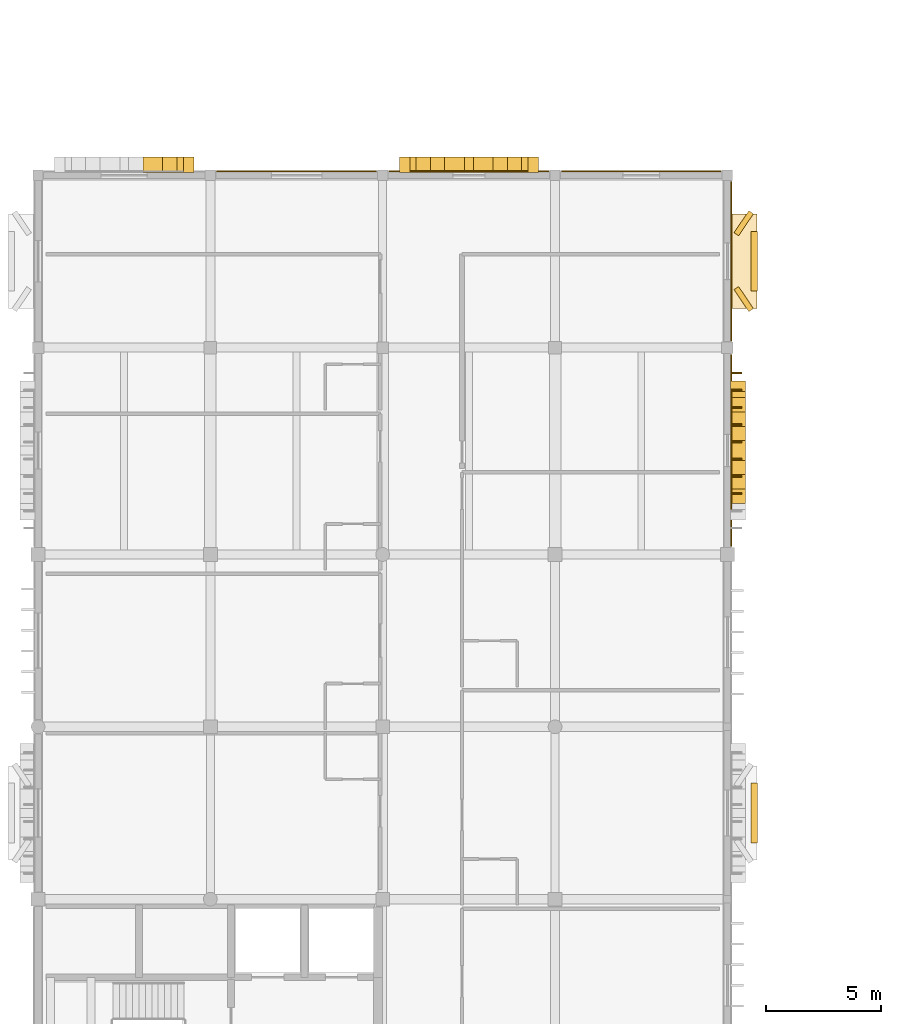
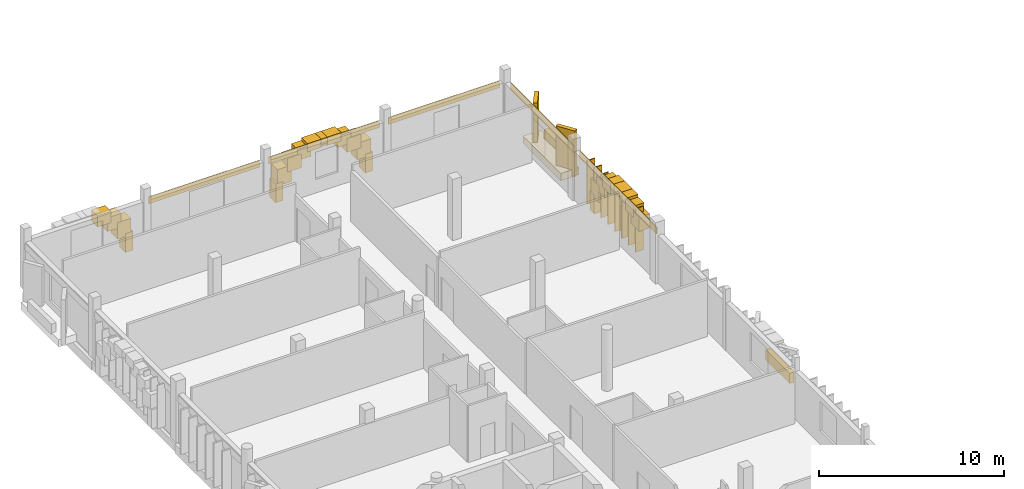
# One storey, part 30 of 33: 34 coverings, 8 shading devices.
"""IFC4 building model written with IfcOpenShell, lengths in metres."""

from ifc_helpers import new_model, si_unit, direction, frame, origin, origin_2d, place, context, subcontext, project, spatial, rectangle, extrude, material, layer, layer_set, type_object, element, save


model = new_model("IFC4")

# Units and contexts
model_context = context("Model", 3, precision=1e-05, world=origin(), true_north=direction((0.0, 1.0)))
body_context = subcontext(model_context, "Body", "Model", "MODEL_VIEW")
ifc_project = project(units=[si_unit("LENGTHUNIT", "METRE"), si_unit("AREAUNIT", "SQUARE_METRE"), si_unit("VOLUMEUNIT", "CUBIC_METRE"), si_unit("PLANEANGLEUNIT", "RADIAN"), si_unit("MASSUNIT", "GRAM", prefix="KILO")], contexts=[model_context])

# Site, building, storey
site_placement = place(None, origin())
site = spatial("IfcSite", under=ifc_project, at=site_placement, CompositionType="ELEMENT")
building_placement = place(site_placement, origin())
building = spatial("IfcBuilding", under=site, at=building_placement, Name="Dalvernix Boulevard General Hospital", CompositionType="ELEMENT")
storey_placement = place(building_placement, frame((0.0, 0.0, 21.89990234375)))
storey = spatial("IfcBuildingStorey", under=building, at=storey_placement, Name="L05", CompositionType="ELEMENT", Elevation=21.89990234375)

# Coverings
ifc_material_1 = material(Name="Pressed Catalan clay brick and dressed limestone parabolic archivolt", Category="masonry")
ifc_layer_1 = layer(ifc_material_1, 0.419921875)
ifc_layer_set_1 = layer_set([ifc_layer_1], Name="Pressed Catalan clay brick and dressed limestone parabolic archivolt (COV-ARC-01)")
covering_type_1 = type_object("IfcCoveringType", Name="COV-ARC-01", PredefinedType="CLADDING", material=ifc_layer_set_1)
covering_1_placement = place(storey_placement, frame((6.550048828125, 93.4599609375, 0.0), z_axis=(0.0, 0.0, 1.0), x_axis=(1.0, 0.0, 0.0)))
element("IfcCovering", 1, at=covering_1_placement, inside=storey, type_object=covering_type_1, Name="L05 Catalan parabolic arch impost pier N 0-12-R", PredefinedType="CLADDING", context=body_context, shape_type="SweptSolid", body=[
    extrude(rectangle(XDim=0.4599609375, YDim=0.659912109375, at=origin_2d()), origin(), (0.0, 0.0, 1.0), 1.25),
])
covering_2_placement = place(storey_placement, frame((4.994384765625, 93.4599609375, 2.3046875), z_axis=(0.0, 0.0, 1.0), x_axis=(1.0, 0.0, 0.0)))
element("IfcCovering", 2, at=covering_2_placement, inside=storey, type_object=covering_type_1, Name="L05 Catalan parabolic archivolt voussoir N 0-12-7", PredefinedType="CLADDING", context=body_context, shape_type="SweptSolid", body=[
    extrude(rectangle(XDim=0.8623046875, YDim=0.659912109375, at=origin_2d()), origin(), (0.0, 0.0, 1.0), 0.735595703125),
])
covering_3_placement = place(storey_placement, frame((5.61669921875, 93.4599609375, 1.77099609375), z_axis=(0.0, 0.0, 1.0), x_axis=(1.0, 0.0, 0.0)))
element("IfcCovering", 3, at=covering_3_placement, inside=storey, type_object=covering_type_1, Name="L05 Catalan parabolic archivolt voussoir N 0-12-8", PredefinedType="CLADDING", context=body_context, shape_type="SweptSolid", body=[
    extrude(rectangle(XDim=0.8623046875, YDim=0.659912109375, at=origin_2d()), origin(), (0.0, 0.0, 1.0), 0.913330078125),
])
covering_4_placement = place(storey_placement, frame((6.239013671875, 93.4599609375, 1.06005859375), z_axis=(0.0, 0.0, 1.0), x_axis=(1.0, 0.0, 0.0)))
element("IfcCovering", 4, at=covering_4_placement, inside=storey, type_object=covering_type_1, Name="L05 Catalan parabolic archivolt voussoir N 0-12-9", PredefinedType="CLADDING", context=body_context, shape_type="SweptSolid", body=[
    extrude(rectangle(XDim=0.8623046875, YDim=0.659912109375, at=origin_2d()), origin(), (0.0, 0.0, 1.0), 1.091064453125),
])
for number, where, z_axis, x_axis, name in (
    (5, (15.949951171875, 93.4599609375, 0.0), (0.0, 0.0, 1.0), (1.0, 0.0, 0.0), "L05 Catalan parabolic arch impost pier N 2-12-L"),
    (6, (21.550048828125, 93.4599609375, 0.0), (0.0, 0.0, 1.0), (1.0, 0.0, 0.0), "L05 Catalan parabolic arch impost pier N 2-12-R"),
):
    element("IfcCovering", number, at=place(storey_placement, frame(where, z_axis=z_axis, x_axis=x_axis)), inside=storey, type_object=covering_type_1, Name=name, PredefinedType="CLADDING", context=body_context, shape_type="SweptSolid", body=[
        extrude(rectangle(XDim=0.4599609375, YDim=0.659912109375, at=origin_2d()), origin(), (0.0, 0.0, 1.0), 1.25),
    ])
covering_5_placement = place(storey_placement, frame((16.260986328125, 93.4599609375, 1.06005859375), z_axis=(0.0, 0.0, 1.0), x_axis=(1.0, 0.0, 0.0)))
element("IfcCovering", 7, at=covering_5_placement, inside=storey, type_object=covering_type_1, Name="L05 Catalan parabolic archivolt voussoir N 2-12-1", PredefinedType="CLADDING", context=body_context, shape_type="SweptSolid", body=[
    extrude(rectangle(XDim=0.8623046875, YDim=0.659912109375, at=origin_2d()), origin(), (0.0, 0.0, 1.0), 1.091064453125),
])
covering_6_placement = place(storey_placement, frame((16.88330078125, 93.4599609375, 1.77099609375), z_axis=(0.0, 0.0, 1.0), x_axis=(1.0, 0.0, 0.0)))
element("IfcCovering", 8, at=covering_6_placement, inside=storey, type_object=covering_type_1, Name="L05 Catalan parabolic archivolt voussoir N 2-12-2", PredefinedType="CLADDING", context=body_context, shape_type="SweptSolid", body=[
    extrude(rectangle(XDim=0.8623046875, YDim=0.659912109375, at=origin_2d()), origin(), (0.0, 0.0, 1.0), 0.913330078125),
])
covering_7_placement = place(storey_placement, frame((17.505615234375, 93.4599609375, 2.3046875), z_axis=(0.0, 0.0, 1.0), x_axis=(1.0, 0.0, 0.0)))
element("IfcCovering", 9, at=covering_7_placement, inside=storey, type_object=covering_type_1, Name="L05 Catalan parabolic archivolt voussoir N 2-12-3", PredefinedType="CLADDING", context=body_context, shape_type="SweptSolid", body=[
    extrude(rectangle(XDim=0.8623046875, YDim=0.659912109375, at=origin_2d()), origin(), (0.0, 0.0, 1.0), 0.735595703125),
])
covering_8_placement = place(storey_placement, frame((18.127685546875, 93.4599609375, 2.66015625), z_axis=(0.0, 0.0, 1.0), x_axis=(1.0, 0.0, 0.0)))
element("IfcCovering", 10, at=covering_8_placement, inside=storey, type_object=covering_type_1, Name="L05 Catalan parabolic archivolt voussoir N 2-12-4", PredefinedType="CLADDING", context=body_context, shape_type="SweptSolid", body=[
    extrude(rectangle(XDim=0.8623046875, YDim=0.659912109375, at=origin_2d()), origin(), (0.0, 0.0, 1.0), 0.557861328125),
])
covering_9_placement = place(storey_placement, frame((18.75, 93.4599609375, 2.837890625), z_axis=(0.0, 0.0, 1.0), x_axis=(1.0, 0.0, 0.0)))
element("IfcCovering", 11, at=covering_9_placement, inside=storey, type_object=covering_type_1, Name="L05 Catalan parabolic archivolt voussoir N 2-12-5", PredefinedType="CLADDING", context=body_context, shape_type="SweptSolid", body=[
    extrude(rectangle(XDim=0.8623046875, YDim=0.659912109375, at=origin_2d()), origin(), (0.0, 0.0, 1.0), 0.3798828125),
])
covering_10_placement = place(storey_placement, frame((19.372314453125, 93.4599609375, 2.66015625), z_axis=(0.0, 0.0, 1.0), x_axis=(1.0, 0.0, 0.0)))
element("IfcCovering", 12, at=covering_10_placement, inside=storey, type_object=covering_type_1, Name="L05 Catalan parabolic archivolt voussoir N 2-12-6", PredefinedType="CLADDING", context=body_context, shape_type="SweptSolid", body=[
    extrude(rectangle(XDim=0.8623046875, YDim=0.659912109375, at=origin_2d()), origin(), (0.0, 0.0, 1.0), 0.557861328125),
])
covering_11_placement = place(storey_placement, frame((19.994384765625, 93.4599609375, 2.3046875), z_axis=(0.0, 0.0, 1.0), x_axis=(1.0, 0.0, 0.0)))
element("IfcCovering", 13, at=covering_11_placement, inside=storey, type_object=covering_type_1, Name="L05 Catalan parabolic archivolt voussoir N 2-12-7", PredefinedType="CLADDING", context=body_context, shape_type="SweptSolid", body=[
    extrude(rectangle(XDim=0.8623046875, YDim=0.659912109375, at=origin_2d()), origin(), (0.0, 0.0, 1.0), 0.735595703125),
])
covering_12_placement = place(storey_placement, frame((20.61669921875, 93.4599609375, 1.77099609375), z_axis=(0.0, 0.0, 1.0), x_axis=(1.0, 0.0, 0.0)))
element("IfcCovering", 14, at=covering_12_placement, inside=storey, type_object=covering_type_1, Name="L05 Catalan parabolic archivolt voussoir N 2-12-8", PredefinedType="CLADDING", context=body_context, shape_type="SweptSolid", body=[
    extrude(rectangle(XDim=0.8623046875, YDim=0.659912109375, at=origin_2d()), origin(), (0.0, 0.0, 1.0), 0.913330078125),
])
covering_13_placement = place(storey_placement, frame((21.239013671875, 93.4599609375, 1.06005859375), z_axis=(0.0, 0.0, 1.0), x_axis=(1.0, 0.0, 0.0)))
element("IfcCovering", 15, at=covering_13_placement, inside=storey, type_object=covering_type_1, Name="L05 Catalan parabolic archivolt voussoir N 2-12-9", PredefinedType="CLADDING", context=body_context, shape_type="SweptSolid", body=[
    extrude(rectangle(XDim=0.8623046875, YDim=0.659912109375, at=origin_2d()), origin(), (0.0, 0.0, 1.0), 1.091064453125),
])
covering_14_placement = place(storey_placement, frame((30.4599609375, 83.824951171875, 0.0), z_axis=(0.0, 0.0, 1.0), x_axis=(0.0, -1.0, 0.0)))
element("IfcCovering", 16, at=covering_14_placement, inside=storey, type_object=covering_type_1, Name="L05 Catalan parabolic arch impost pier E 4-10-L", PredefinedType="CLADDING", context=body_context, shape_type="SweptSolid", body=[
    extrude(rectangle(XDim=0.4599609375, YDim=0.659912109375, at=origin_2d()), origin(), (0.0, 0.0, 1.0), 1.25),
])
covering_15_placement = place(storey_placement, frame((30.4599609375, 83.513916015625, 1.06005859375), z_axis=(0.0, 0.0, 1.0), x_axis=(0.0, -1.0, 0.0)))
element("IfcCovering", 17, at=covering_15_placement, inside=storey, type_object=covering_type_1, Name="L05 Catalan parabolic archivolt voussoir E 4-10-1", PredefinedType="CLADDING", context=body_context, shape_type="SweptSolid", body=[
    extrude(rectangle(XDim=0.8623046875, YDim=0.659912109375, at=origin_2d()), origin(), (0.0, 0.0, 1.0), 1.11083984375),
])
covering_16_placement = place(storey_placement, frame((30.4599609375, 82.8916015625, 1.791015625), z_axis=(0.0, 0.0, 1.0), x_axis=(0.0, -1.0, 0.0)))
element("IfcCovering", 18, at=covering_16_placement, inside=storey, type_object=covering_type_1, Name="L05 Catalan parabolic archivolt voussoir E 4-10-2", PredefinedType="CLADDING", context=body_context, shape_type="SweptSolid", body=[
    extrude(rectangle(XDim=0.8623046875, YDim=0.659912109375, at=origin_2d()), origin(), (0.0, 0.0, 1.0), 0.927978515625),
])
covering_17_placement = place(storey_placement, frame((30.4599609375, 82.269287109375, 2.33935546875), z_axis=(0.0, 0.0, 1.0), x_axis=(0.0, -1.0, 0.0)))
element("IfcCovering", 19, at=covering_17_placement, inside=storey, type_object=covering_type_1, Name="L05 Catalan parabolic archivolt voussoir E 4-10-3", PredefinedType="CLADDING", context=body_context, shape_type="SweptSolid", body=[
    extrude(rectangle(XDim=0.8623046875, YDim=0.659912109375, at=origin_2d()), origin(), (0.0, 0.0, 1.0), 0.745361328125),
])
covering_18_placement = place(storey_placement, frame((30.4599609375, 81.647216796875, 2.70458984375), z_axis=(0.0, 0.0, 1.0), x_axis=(0.0, -1.0, 0.0)))
element("IfcCovering", 20, at=covering_18_placement, inside=storey, type_object=covering_type_1, Name="L05 Catalan parabolic archivolt voussoir E 4-10-4", PredefinedType="CLADDING", context=body_context, shape_type="SweptSolid", body=[
    extrude(rectangle(XDim=0.8623046875, YDim=0.659912109375, at=origin_2d()), origin(), (0.0, 0.0, 1.0), 0.562744140625),
])
covering_19_placement = place(storey_placement, frame((30.4599609375, 81.02490234375, 2.887451171875), z_axis=(0.0, 0.0, 1.0), x_axis=(0.0, -1.0, 0.0)))
element("IfcCovering", 21, at=covering_19_placement, inside=storey, type_object=covering_type_1, Name="L05 Catalan parabolic archivolt voussoir E 4-10-5", PredefinedType="CLADDING", context=body_context, shape_type="SweptSolid", body=[
    extrude(rectangle(XDim=0.8623046875, YDim=0.659912109375, at=origin_2d()), origin(), (0.0, 0.0, 1.0), 0.3798828125),
])
covering_20_placement = place(storey_placement, frame((30.4599609375, 80.40283203125, 2.70458984375), z_axis=(0.0, 0.0, 1.0), x_axis=(0.0, -1.0, 0.0)))
element("IfcCovering", 22, at=covering_20_placement, inside=storey, type_object=covering_type_1, Name="L05 Catalan parabolic archivolt voussoir E 4-10-6", PredefinedType="CLADDING", context=body_context, shape_type="SweptSolid", body=[
    extrude(rectangle(XDim=0.8623046875, YDim=0.659912109375, at=origin_2d()), origin(), (0.0, 0.0, 1.0), 0.562744140625),
])
covering_21_placement = place(storey_placement, frame((30.4599609375, 79.780517578125, 2.33935546875), z_axis=(0.0, 0.0, 1.0), x_axis=(0.0, -1.0, 0.0)))
element("IfcCovering", 23, at=covering_21_placement, inside=storey, type_object=covering_type_1, Name="L05 Catalan parabolic archivolt voussoir E 4-10-7", PredefinedType="CLADDING", context=body_context, shape_type="SweptSolid", body=[
    extrude(rectangle(XDim=0.8623046875, YDim=0.659912109375, at=origin_2d()), origin(), (0.0, 0.0, 1.0), 0.745361328125),
])
covering_22_placement = place(storey_placement, frame((30.4599609375, 79.158203125, 1.791015625), z_axis=(0.0, 0.0, 1.0), x_axis=(0.0, -1.0, 0.0)))
element("IfcCovering", 24, at=covering_22_placement, inside=storey, type_object=covering_type_1, Name="L05 Catalan parabolic archivolt voussoir E 4-10-8", PredefinedType="CLADDING", context=body_context, shape_type="SweptSolid", body=[
    extrude(rectangle(XDim=0.8623046875, YDim=0.659912109375, at=origin_2d()), origin(), (0.0, 0.0, 1.0), 0.927978515625),
])
ifc_material_2 = material(Name="Polychrome glazed Catalan trencadis ceramic faceted bay spandrel")
ifc_layer_2 = layer(ifc_material_2, 0.280029296875)
ifc_layer_set_2 = layer_set([ifc_layer_2], Name="Polychrome glazed Catalan trencadis ceramic faceted bay spandrel (COV-BAY-01)")
covering_type_2 = type_object("IfcCoveringType", Name="COV-BAY-01", PredefinedType="CLADDING", material=ifc_layer_set_2)
for number, where, z_axis, x_axis, name in (
    (25, (31.159912109375, 65.25, 0.38037109375), (0.0, 0.0, 1.0), (0.0, -1.0, 0.0), "L05 projecting faceted trencadis bay spandrel E 4-8"),
    (26, (31.159912109375, 89.262451171875, 0.38037109375), (0.0, 0.0, 1.0), (0.0, -1.0, 0.0), "L05 projecting faceted trencadis bay spandrel E 4-11"),
):
    element("IfcCovering", number, at=place(storey_placement, frame(where, z_axis=z_axis, x_axis=x_axis)), inside=storey, type_object=covering_type_2, Name=name, PredefinedType="CLADDING", context=body_context, shape_type="SweptSolid", body=[
        extrude(rectangle(XDim=2.60009765625, YDim=0.280029296875, at=origin_2d()), origin(), (0.0, 0.0, 1.0), 0.679931640625),
    ])
for number, where, z_axis, x_axis, name in (
    (27, (30.7099609375, 90.91259765625, 0.080078125), (0.0, 0.0, 1.0), (-0.559192903471, -0.829037572555, 0.0), "L05 projecting faceted Catalan bay cheek E 4-11-L"),
    (28, (30.7099609375, 87.612548828125, 0.080078125), (0.0, 0.0, 1.0), (0.559192903471, -0.829037572555, 0.0), "L05 projecting faceted Catalan bay cheek E 4-11-R"),
):
    element("IfcCovering", number, at=place(storey_placement, frame(where, z_axis=z_axis, x_axis=x_axis)), inside=storey, type_object=covering_type_2, Name=name, PredefinedType="CLADDING", context=body_context, shape_type="SweptSolid", body=[
        extrude(rectangle(XDim=1.14990234375, YDim=0.239990234375, at=origin_2d()), origin(), (0.0, 0.0, 1.0), 3.010009765625),
    ])
ifc_material_3 = material(Name="Polychrome Catalan glazed ceramic spandrel tile panel")
ifc_layer_3 = layer(ifc_material_3, 0.044921875)
ifc_layer_set_3 = layer_set([ifc_layer_3], Name="Polychrome Catalan glazed ceramic spandrel tile panel (COV-CLD-01)")
covering_type_3 = type_object("IfcCoveringType", Name="COV-CLD-01", PredefinedType="CLADDING", material=ifc_layer_set_3)
for number, where, z_axis, x_axis, name in (
    (29, (11.25, 93.169921875, 2.6953125), (0.0, 0.0, 1.0), (1.0, 0.0, 0.0), "L05 polychrome ceramic spandrel N 1-12"),
    (30, (18.75, 93.169921875, 2.6953125), (0.0, 0.0, 1.0), (1.0, 0.0, 0.0), "L05 polychrome ceramic spandrel N 2-12"),
):
    element("IfcCovering", number, at=place(storey_placement, frame(where, z_axis=z_axis, x_axis=x_axis)), inside=storey, type_object=covering_type_3, Name=name, PredefinedType="CLADDING", context=body_context, shape_type="SweptSolid", body=[
        extrude(rectangle(XDim=6.929931640625, YDim=0.044921875, at=origin_2d()), origin(), (0.0, 0.0, 1.0), 0.449951171875),
    ])
covering_23_placement = place(storey_placement, frame((30.169921875, 81.02490234375, 2.7451171875), z_axis=(0.0, 0.0, 1.0), x_axis=(0.0, -1.0, 0.0)))
element("IfcCovering", 31, at=covering_23_placement, inside=storey, type_object=covering_type_3, Name="L05 polychrome ceramic spandrel E 4-10", PredefinedType="CLADDING", context=body_context, shape_type="SweptSolid", body=[
    extrude(rectangle(XDim=8.330078125, YDim=0.044921875, at=origin_2d()), origin(), (0.0, 0.0, 1.0), 0.449951171875),
])
covering_24_placement = place(storey_placement, frame((26.25, 93.169921875, 2.6953125), z_axis=(0.0, 0.0, 1.0), x_axis=(1.0, 0.0, 0.0)))
element("IfcCovering", 32, at=covering_24_placement, inside=storey, type_object=covering_type_3, Name="L05 polychrome ceramic spandrel N 3-12", PredefinedType="CLADDING", context=body_context, shape_type="SweptSolid", body=[
    extrude(rectangle(XDim=6.929931640625, YDim=0.044921875, at=origin_2d()), origin(), (0.0, 0.0, 1.0), 0.449951171875),
])
covering_25_placement = place(storey_placement, frame((30.169921875, 89.262451171875, 2.6953125), z_axis=(0.0, 0.0, 1.0), x_axis=(0.0, -1.0, 0.0)))
element("IfcCovering", 33, at=covering_25_placement, inside=storey, type_object=covering_type_3, Name="L05 polychrome ceramic spandrel E 4-11", PredefinedType="CLADDING", context=body_context, shape_type="SweptSolid", body=[
    extrude(rectangle(XDim=6.905029296875, YDim=0.044921875, at=origin_2d()), origin(), (0.0, 0.0, 1.0), 0.449951171875),
])
ifc_material_4 = material(Name="Dressed ochre limestone classical plinth, stringcourse and corbelled cornice", Category="masonry")
ifc_layer_4 = layer(ifc_material_4, 0.449951171875)
ifc_layer_set_4 = layer_set([ifc_layer_4], Name="Dressed ochre limestone classical plinth, stringcourse and corbelled cornice (COV-CRN-01)")
covering_type_4 = type_object("IfcCoveringType", Name="COV-CRN-01", PredefinedType="CLADDING", material=ifc_layer_set_4)
covering_26_placement = place(storey_placement, frame((30.705078125, 89.262451171875, 0.0), z_axis=(0.0, 0.0, 1.0), x_axis=(0.0, -1.0, 0.0)))
element("IfcCovering", 34, at=covering_26_placement, inside=storey, type_object=covering_type_4, Name="L05 projecting Catalan bay corbel base E 4-11", PredefinedType="CLADDING", context=body_context, shape_type="SweptSolid", body=[
    extrude(rectangle(XDim=4.10009765625, YDim=1.14990234375, at=origin_2d()), origin(), (0.0, 0.0, 1.0), 0.47998046875),
])

# Shading devices
ifc_material_5 = material(Name="Preservative-treated West African iroko timber", Category="wood")
shading_device_type = type_object("IfcShadingDeviceType", Name="SHD-FIN-01", PredefinedType="USERDEFINED", material=ifc_material_5)
for number, where, z_axis, x_axis, name in (
    (35, (30.3798828125, 84.39990234375, 0.175048828125), (0.0, 0.0, 1.0), (0.0, -1.0, 0.0), "L05 iroko brise-soleil fin 1"),
    (36, (30.3798828125, 83.64990234375, 0.175048828125), (0.0, 0.0, 1.0), (0.0, -1.0, 0.0), "L05 iroko brise-soleil fin 2"),
    (37, (30.3798828125, 82.89990234375, 0.175048828125), (0.0, 0.0, 1.0), (0.0, -1.0, 0.0), "L05 iroko brise-soleil fin 3"),
    (38, (30.3798828125, 82.14990234375, 0.175048828125), (0.0, 0.0, 1.0), (0.0, -1.0, 0.0), "L05 iroko brise-soleil fin 4"),
    (39, (30.3798828125, 81.39990234375, 0.175048828125), (0.0, 0.0, 1.0), (0.0, -1.0, 0.0), "L05 iroko brise-soleil fin 5"),
    (40, (30.3798828125, 80.64990234375, 0.175048828125), (0.0, 0.0, 1.0), (0.0, -1.0, 0.0), "L05 iroko brise-soleil fin 6"),
    (41, (30.3798828125, 79.89990234375, 0.175048828125), (0.0, 0.0, 1.0), (0.0, -1.0, 0.0), "L05 iroko brise-soleil fin 7"),
    (42, (30.3798828125, 79.14990234375, 0.175048828125), (0.0, 0.0, 1.0), (0.0, -1.0, 0.0), "L05 iroko brise-soleil fin 8"),
):
    element("IfcShadingDevice", number, at=place(storey_placement, frame(where, z_axis=z_axis, x_axis=x_axis)), inside=storey, type_object=shading_device_type, Name=name, ObjectType="FIN", PredefinedType="USERDEFINED", context=body_context, shape_type="SweptSolid", body=[
        extrude(rectangle(XDim=0.06494140625, YDim=0.47998046875, at=origin_2d()), origin(), (0.0, 0.0, 1.0), 2.8701171875),
    ])

save(model, "model.ifc")
